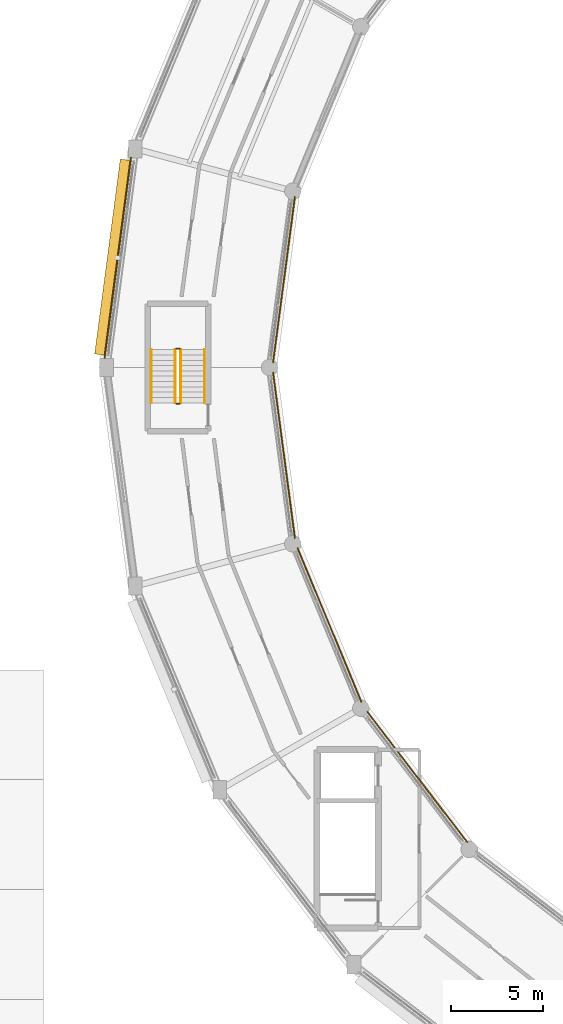
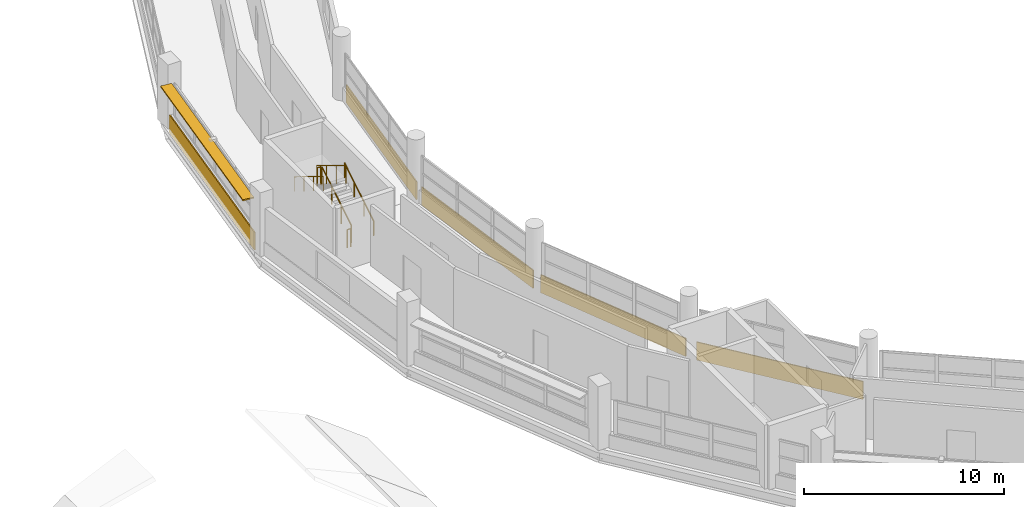
# One storey, part 50 of 53: 6 railings, 5 coverings, 1 shading device.
"""IFC4 building model written with IfcOpenShell, lengths in metres."""

from ifc_helpers import new_model, si_unit, direction, frame, frame_2d, origin, origin_2d, place, context, subcontext, project, spatial, rectangle, circle, extrude, material, layer, layer_set, type_object, element, save


model = new_model("IFC4")

# Units and contexts
model_context = context("Model", 3, precision=1e-05, world=origin(), true_north=direction((0.0, 1.0)))
body_context = subcontext(model_context, "Body", "Model", "MODEL_VIEW")
ifc_project = project(units=[si_unit("LENGTHUNIT", "METRE"), si_unit("AREAUNIT", "SQUARE_METRE"), si_unit("VOLUMEUNIT", "CUBIC_METRE"), si_unit("PLANEANGLEUNIT", "RADIAN"), si_unit("MASSUNIT", "GRAM", prefix="KILO")], contexts=[model_context])

# Site, building, storey
site_placement = place(None, origin())
site = spatial("IfcSite", under=ifc_project, at=site_placement, CompositionType="ELEMENT")
building_placement = place(site_placement, origin())
building = spatial("IfcBuilding", under=site, at=building_placement, Name="Vespera Passage Community Centre", CompositionType="ELEMENT")
storey_placement = place(building_placement, frame((0.0, 0.0, 20.39990234375)))
storey = spatial("IfcBuildingStorey", under=building, at=storey_placement, Name="L05", CompositionType="ELEMENT", Elevation=20.39990234375)

# Coverings
ifc_material_1 = material(Name="Precast concrete f'c 40 MPa", Category="concrete")
ifc_layer = layer(ifc_material_1, 0.06005859375)
ifc_layer_set = layer_set([ifc_layer], Name="Precast concrete f'c 40 MPa")
covering_type = type_object("IfcCoveringType", Name="COV-CLAD-60E", PredefinedType="CLADDING", material=ifc_layer_set)
covering_1_placement = place(storey_placement, frame((31.794189453125, 65.997314453125, -0.27978515625), z_axis=(0.0, 0.0, 1.0), x_axis=(0.130513242145, 0.991446566197, 0.0)))
element("IfcCovering", 1, at=covering_1_placement, inside=storey, type_object=covering_type, Name="V4 L05 Outer White Spandrel Band O11", PredefinedType="CLADDING", context=body_context, shape_type="SweptSolid", body=[
    extrude(rectangle(XDim=11.075927734375, YDim=0.06005859375, at=frame_2d((5.5380859375, 0.0))), origin(), (0.0, 0.0, 1.0), 1.099853515625),
])
for number, where, z_axis, x_axis, name in (
    (2, (42.18505859375, 74.832763671875, -0.27978515625), (0.0, 0.0, 1.0), (-0.13052003772, -0.99144567161, 0.0), "V4 L05 Inner Court White Spandrel Band I11"),
    (3, (40.989990234375, 65.2451171875, -0.27978515625), (0.0, 0.0, 1.0), (0.13052003772, -0.99144567161, 0.0), "V4 L05 Inner Court White Spandrel Band I12"),
):
    element("IfcCovering", number, at=place(storey_placement, frame(where, z_axis=z_axis, x_axis=x_axis)), inside=storey, type_object=covering_type, Name=name, PredefinedType="CLADDING", context=body_context, shape_type="SweptSolid", body=[
        extrude(rectangle(XDim=9.15625, YDim=0.06005859375, at=frame_2d((4.578125, 0.0))), origin(), (0.0, 0.0, 1.0), 1.099853515625),
    ])
covering_2_placement = place(storey_placement, frame((42.325439453125, 55.654296875, -0.27978515625), z_axis=(0.0, 0.0, 1.0), x_axis=(0.38269491658, -0.92387477551, 0.0)))
element("IfcCovering", 4, at=covering_2_placement, inside=storey, type_object=covering_type, Name="V4 L05 Inner Court White Spandrel Band I13", PredefinedType="CLADDING", context=body_context, shape_type="SweptSolid", body=[
    extrude(rectangle(XDim=9.11181640625, YDim=0.06005859375, at=frame_2d((4.555908203125, 0.0))), origin(), (0.0, 0.0, 1.0), 1.099853515625),
])
covering_3_placement = place(storey_placement, frame((46.121826171875, 46.714111328125, -0.27978515625), z_axis=(0.0, 0.0, 1.0), x_axis=(0.608765610033, -0.793350132061, 0.0)))
element("IfcCovering", 5, at=covering_3_placement, inside=storey, type_object=covering_type, Name="V4 L05 Inner Court White Spandrel Band I14", PredefinedType="CLADDING", context=body_context, shape_type="SweptSolid", body=[
    extrude(rectangle(XDim=9.004638671875, YDim=0.06005859375, at=frame_2d((4.50244140625, 0.0))), origin(), (0.0, 0.0, 1.0), 1.099853515625),
])

# Railings
ifc_material_2 = material(Name="Steel ASTM A500 Grade C", Category="steel")
railing_type_1 = type_object("IfcRailingType", Name="RL-HAND-900I", PredefinedType="HANDRAIL", material=ifc_material_2)
railing_1_placement = place(storey_placement, frame((37.25, 63.574951171875, 0.177490234375)))
element("IfcRailing", 6, at=railing_1_placement, inside=storey, type_object=railing_type_1, Name="L05 ST04 stair handrail 1", PredefinedType="HANDRAIL", context=body_context, shape_type="SweptSolid", body=[
    extrude(circle(Radius=0.02392578125, at=origin_2d()), frame((0.0, 0.0, 0.8759765625), z_axis=(0.0, 0.853230340181, 0.521534262148), x_axis=(-1.0, 0.0, 0.0)), (0.0, 0.0, 1.0), 3.39892578125),
    extrude(circle(Radius=0.02099609375, at=origin_2d()), origin(), (0.0, 0.0, 1.0), 0.851806640625),
    extrude(circle(Radius=0.02099609375, at=origin_2d()), frame((0.0, 0.966796875, 0.5908203125)), (0.0, 0.0, 1.0), 0.851806640625),
    extrude(circle(Radius=0.02099609375, at=origin_2d()), frame((0.0, 1.933349609375, 1.181884765625)), (0.0, 0.0, 1.0), 0.851806640625),
    extrude(circle(Radius=0.02099609375, at=origin_2d()), frame((0.0, 2.900146484375, 1.772705078125)), (0.0, 0.0, 1.0), 0.851806640625),
])
railing_2_placement = place(storey_placement, frame((34.35009765625, 66.47509765625, 2.12744140625)))
element("IfcRailing", 7, at=railing_2_placement, inside=storey, type_object=railing_type_1, Name="L05 ST04 stair handrail 2", PredefinedType="HANDRAIL", context=body_context, shape_type="SweptSolid", body=[
    extrude(circle(Radius=0.02392578125, at=origin_2d()), frame((0.0, 0.0, 0.8759765625), z_axis=(0.0, -0.853230340181, 0.521534262148), x_axis=(1.0, 0.0, 0.0)), (0.0, 0.0, 1.0), 3.39892578125),
    extrude(circle(Radius=0.02099609375, at=origin_2d()), origin(), (0.0, 0.0, 1.0), 0.851806640625),
    extrude(circle(Radius=0.02099609375, at=origin_2d()), frame((0.0, -0.966796875, 0.5908203125)), (0.0, 0.0, 1.0), 0.851806640625),
    extrude(circle(Radius=0.02099609375, at=origin_2d()), frame((0.0, -1.933349609375, 1.181884765625)), (0.0, 0.0, 1.0), 0.851806640625),
    extrude(circle(Radius=0.02099609375, at=origin_2d()), frame((0.0, -2.900146484375, 1.772705078125)), (0.0, 0.0, 1.0), 0.851806640625),
])
ifc_material_3 = material(Name="Steel ASTM A500 Grade C", Category="steel")
railing_type_2 = type_object("IfcRailingType", Name="RL-STAIR-1100I", PredefinedType="GUARDRAIL", material=ifc_material_3)
railing_3_placement = place(storey_placement, frame((35.949951171875, 63.574951171875, 0.177490234375)))
element("IfcRailing", 8, at=railing_3_placement, inside=storey, type_object=railing_type_2, Name="L05 ST04 stair guard 1", PredefinedType="GUARDRAIL", context=body_context, shape_type="SweptSolid", body=[
    extrude(circle(Radius=0.02392578125, at=origin_2d()), frame((0.0, 0.0, 1.09619140625), z_axis=(0.0, 0.853230340181, 0.521534262148), x_axis=(-1.0, 0.0, 0.0)), (0.0, 0.0, 1.0), 3.39892578125),
    extrude(circle(Radius=0.02099609375, at=origin_2d()), origin(), (0.0, 0.0, 1.0), 1.072021484375),
    extrude(circle(Radius=0.02099609375, at=origin_2d()), frame((0.0, 0.966796875, 0.5908203125)), (0.0, 0.0, 1.0), 1.072021484375),
    extrude(circle(Radius=0.02099609375, at=origin_2d()), frame((0.0, 1.933349609375, 1.181884765625)), (0.0, 0.0, 1.0), 1.072021484375),
    extrude(circle(Radius=0.02099609375, at=origin_2d()), frame((0.0, 2.900146484375, 1.772705078125)), (0.0, 0.0, 1.0), 1.072021484375),
])
railing_4_placement = place(storey_placement, frame((35.89990234375, 66.52490234375, 1.9501953125)))
element("IfcRailing", 9, at=railing_4_placement, inside=storey, type_object=railing_type_2, Name="L05 ST04 stair guard 2", PredefinedType="GUARDRAIL", context=body_context, shape_type="SweptSolid", body=[
    extrude(circle(Radius=0.02392578125, at=origin_2d()), frame((0.0, 0.0, 1.09619140625), z_axis=(-1.0, 0.0, 0.0), x_axis=(0.0, -1.0, 0.0)), (0.0, 0.0, 1.0), 0.199951171875),
    extrude(circle(Radius=0.02099609375, at=origin_2d()), origin(), (0.0, 0.0, 1.0), 1.072021484375),
    extrude(circle(Radius=0.02099609375, at=origin_2d()), frame((-0.199951171875, 0.0, 0.0)), (0.0, 0.0, 1.0), 1.072021484375),
])
railing_5_placement = place(storey_placement, frame((35.64990234375, 66.47509765625, 2.12744140625)))
element("IfcRailing", 10, at=railing_5_placement, inside=storey, type_object=railing_type_2, Name="L05 ST04 stair guard 3", PredefinedType="GUARDRAIL", context=body_context, shape_type="SweptSolid", body=[
    extrude(circle(Radius=0.02392578125, at=origin_2d()), frame((0.0, 0.0, 1.09619140625), z_axis=(0.0, -0.853230340181, 0.521534262148), x_axis=(1.0, 0.0, 0.0)), (0.0, 0.0, 1.0), 3.39892578125),
    extrude(circle(Radius=0.02099609375, at=origin_2d()), origin(), (0.0, 0.0, 1.0), 1.072021484375),
    extrude(circle(Radius=0.02099609375, at=origin_2d()), frame((0.0, -0.966796875, 0.5908203125)), (0.0, 0.0, 1.0), 1.072021484375),
    extrude(circle(Radius=0.02099609375, at=origin_2d()), frame((0.0, -1.933349609375, 1.181884765625)), (0.0, 0.0, 1.0), 1.072021484375),
    extrude(circle(Radius=0.02099609375, at=origin_2d()), frame((0.0, -2.900146484375, 1.772705078125)), (0.0, 0.0, 1.0), 1.072021484375),
])
railing_6_placement = place(storey_placement, frame((35.89990234375, 63.52490234375, 0.0)))
element("IfcRailing", 11, at=railing_6_placement, inside=storey, type_object=railing_type_2, Name="L05 ST04 stair guard 4", PredefinedType="GUARDRAIL", context=body_context, shape_type="SweptSolid", body=[
    extrude(circle(Radius=0.02392578125, at=origin_2d()), frame((0.0, 0.0, 1.09619140625), z_axis=(-1.0, 0.0, 0.0), x_axis=(0.0, -1.0, 0.0)), (0.0, 0.0, 1.0), 0.199951171875),
    extrude(circle(Radius=0.02099609375, at=origin_2d()), origin(), (0.0, 0.0, 1.0), 1.072021484375),
    extrude(circle(Radius=0.02099609375, at=origin_2d()), frame((-0.199951171875, 0.0, 0.0)), (0.0, 0.0, 1.0), 1.072021484375),
])

# Shading device
ifc_material_4 = material(Name="Anodized aluminium 6063-T6", Category="aluminium")
shading_device_type = type_object("IfcShadingDeviceType", Name="SHD-EYEBROW", PredefinedType="JALOUSIE", material=ifc_material_4)
shading_device_placement = place(storey_placement, frame((32.249267578125, 71.523193359375, 2.745849609375), z_axis=(0.0, 0.0, 1.0), x_axis=(0.130508888223, 0.991447139335, 0.0)))
element("IfcShadingDevice", 12, at=shading_device_placement, inside=storey, type_object=shading_device_type, Name="V4 L05 Outer Solar Eyebrow 11", PredefinedType="JALOUSIE", context=body_context, shape_type="SweptSolid", body=[
    extrude(rectangle(XDim=10.725830078125, YDim=0.60009765625, at=origin_2d()), origin(), (0.0, 0.0, 1.0), 0.080078125),
])

save(model, "model.ifc")
